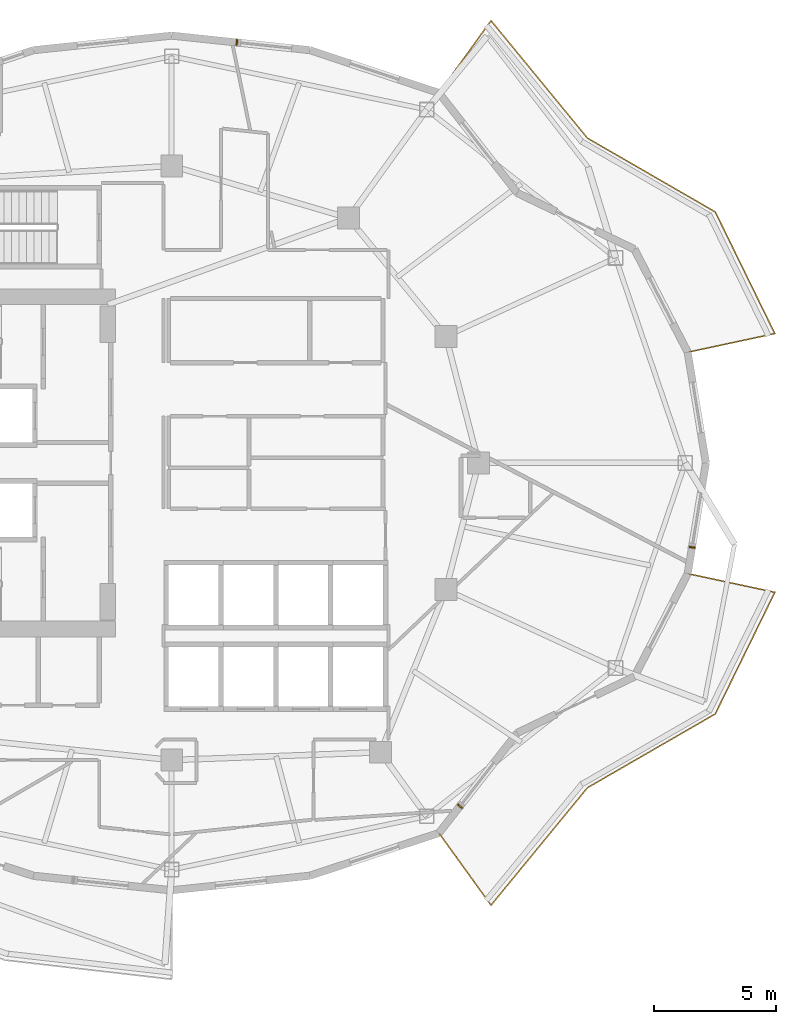
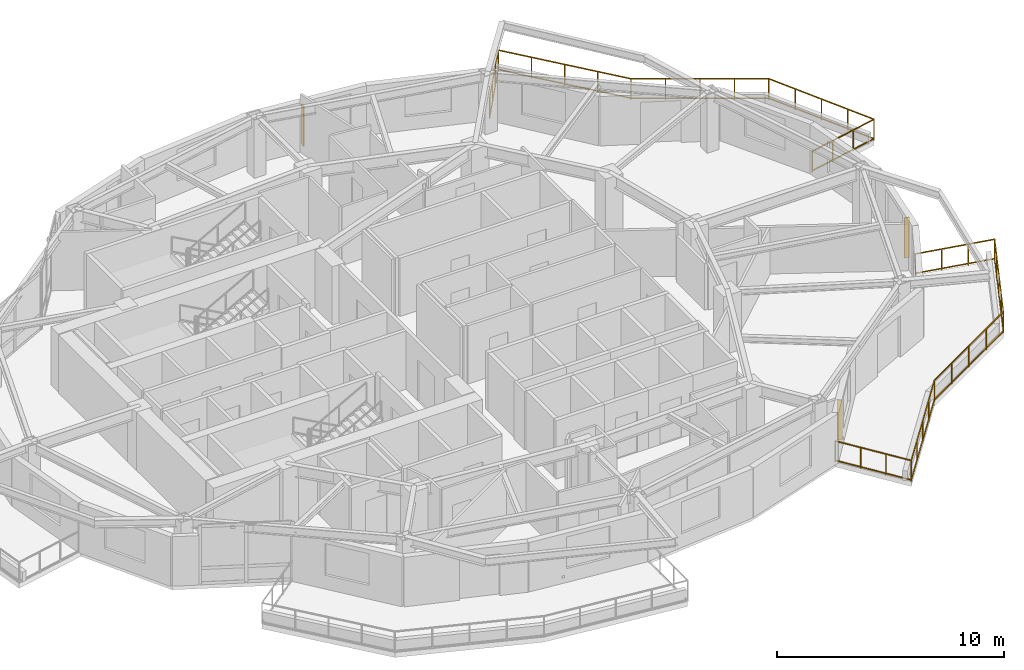
# One storey, part 13 of 13: 3 shading devices, 2 railings.
"""IFC4 building model written with IfcOpenShell, lengths in metres."""

from ifc_helpers import new_model, si_unit, direction, frame, origin, origin_2d, place, context, subcontext, project, spatial, rectangle, extrude, material, type_object, element, save


model = new_model("IFC4")

# Units and contexts
model_context = context("Model", 3, precision=1e-05, world=origin(), true_north=direction((0.0, 1.0)))
body_context = subcontext(model_context, "Body", "Model", "MODEL_VIEW")
ifc_project = project(units=[si_unit("LENGTHUNIT", "METRE"), si_unit("AREAUNIT", "SQUARE_METRE"), si_unit("VOLUMEUNIT", "CUBIC_METRE"), si_unit("PLANEANGLEUNIT", "RADIAN"), si_unit("MASSUNIT", "GRAM", prefix="KILO")], contexts=[model_context])

# Site, building, storey
site_placement = place(None, origin())
site = spatial("IfcSite", under=ifc_project, at=site_placement, CompositionType="ELEMENT")
building_placement = place(site_placement, origin())
building = spatial("IfcBuilding", under=site, at=building_placement, Name="Kolvaren Gate Tower and Convention Centre", CompositionType="ELEMENT")
storey_placement = place(building_placement, frame((0.0, 0.0, 156.300048828125)))
storey = spatial("IfcBuildingStorey", under=building, at=storey_placement, Name="L40", CompositionType="ELEMENT", Elevation=156.300048828125)

# Railings
ifc_material_1 = material(Name="Brushed Stainless Steel Grade 316L", Category="steel")
railing_type = type_object("IfcRailingType", Name="ARCH-RL-GUARD-1150", PredefinedType="GUARDRAIL", material=ifc_material_1)
railing_1_placement = place(storey_placement, frame((51.31494140625, 31.542236328125, 0.0)))
element("IfcRailing", 1, at=railing_1_placement, inside=storey, type_object=railing_type, Name="Tower L40 Terrace Perimeter Guardrail GR-1", PredefinedType="GUARDRAIL", context=body_context, shape_type="SweptSolid", body=[
    extrude(rectangle(XDim=0.048095703125, YDim=0.048095703125, at=origin_2d()), frame((0.02734375, 0.005859375, 1.1259765625), z_axis=(0.977791675321, 0.209579196661, 0.0), x_axis=(-0.209579196661, 0.977791675321, 0.0)), (0.0, 0.0, 1.0), 3.60400390625),
    extrude(rectangle(XDim=0.048095703125, YDim=0.048095703125, at=origin_2d()), frame((0.02734375, 0.005859375, 0.083984375), z_axis=(0.977791675321, 0.209579196661, 0.0), x_axis=(-0.209579196661, 0.977791675321, 0.0)), (0.0, 0.0, 1.0), 3.60400390625),
    extrude(rectangle(XDim=0.048095703125, YDim=0.048095703125, at=origin_2d()), frame((3.56640625, 0.792236328125, 1.1259765625), z_axis=(-0.439655234701, 0.898166618507, 0.0), x_axis=(-0.898166618507, -0.439655234701, 0.0)), (0.0, 0.0, 1.0), 5.51123046875),
    extrude(rectangle(XDim=0.048095703125, YDim=0.048095703125, at=origin_2d()), frame((3.56640625, 0.792236328125, 0.083984375), z_axis=(-0.439655234701, 0.898166618507, 0.0), x_axis=(-0.898166618507, -0.439655234701, 0.0)), (0.0, 0.0, 1.0), 5.51123046875),
    extrude(rectangle(XDim=0.048095703125, YDim=0.048095703125, at=origin_2d()), frame((1.10693359375, 5.781494140625, 1.1259765625), z_axis=(-0.866075571306, 0.499913097234, 0.0), x_axis=(-0.499913097234, -0.866075571306, 0.0)), (0.0, 0.0, 1.0), 6.004150390625),
    extrude(rectangle(XDim=0.048095703125, YDim=0.048095703125, at=origin_2d()), frame((1.10693359375, 5.781494140625, 0.083984375), z_axis=(-0.866075571306, 0.499913097234, 0.0), x_axis=(-0.499913097234, -0.866075571306, 0.0)), (0.0, 0.0, 1.0), 6.004150390625),
    extrude(rectangle(XDim=0.048095703125, YDim=0.048095703125, at=origin_2d()), frame((-4.13525390625, 8.81884765625, 1.1259765625), z_axis=(-0.634429234628, 0.77298094818, 0.0), x_axis=(-0.77298094818, -0.634429234628, 0.0)), (0.0, 0.0, 1.0), 6.188720703125),
    extrude(rectangle(XDim=0.048095703125, YDim=0.048095703125, at=origin_2d()), frame((-4.13525390625, 8.81884765625, 0.083984375), z_axis=(-0.634429234628, 0.77298094818, 0.0), x_axis=(-0.77298094818, -0.634429234628, 0.0)), (0.0, 0.0, 1.0), 6.188720703125),
    extrude(rectangle(XDim=0.048095703125, YDim=0.048095703125, at=origin_2d()), frame((-8.095703125, 13.6015625, 1.1259765625), z_axis=(-0.585212870465, -0.810879705161, 0.0), x_axis=(0.810879705161, -0.585212870465, 0.0)), (0.0, 0.0, 1.0), 3.603759765625),
    extrude(rectangle(XDim=0.048095703125, YDim=0.048095703125, at=origin_2d()), frame((-8.095703125, 13.6015625, 0.083984375), z_axis=(-0.585212870465, -0.810879705161, 0.0), x_axis=(0.810879705161, -0.585212870465, 0.0)), (0.0, 0.0, 1.0), 3.603759765625),
    extrude(rectangle(XDim=0.0419921875, YDim=0.0419921875, at=origin_2d()), origin(), (0.0, 0.0, 1.0), 1.14990234375),
    extrude(rectangle(XDim=0.0419921875, YDim=0.0419921875, at=origin_2d()), frame((3.578857421875, 0.76708984375, 0.0)), (0.0, 0.0, 1.0), 1.14990234375),
    extrude(rectangle(XDim=0.0419921875, YDim=0.0419921875, at=origin_2d()), frame((1.19287109375, 0.255615234375, 0.0)), (0.0, 0.0, 1.0), 1.099853515625),
    extrude(rectangle(XDim=0.0419921875, YDim=0.0419921875, at=origin_2d()), frame((2.385986328125, 0.511474609375, 0.0)), (0.0, 0.0, 1.0), 1.099853515625),
    extrude(rectangle(XDim=0.0419921875, YDim=0.0419921875, at=origin_2d()), frame((1.131103515625, 5.767578125, 0.0)), (0.0, 0.0, 1.0), 1.14990234375),
    extrude(rectangle(XDim=0.0419921875, YDim=0.0419921875, at=origin_2d()), frame((2.966796875, 2.01708984375, 0.0)), (0.0, 0.0, 1.0), 1.099853515625),
    extrude(rectangle(XDim=0.0419921875, YDim=0.0419921875, at=origin_2d()), frame((2.35498046875, 3.267333984375, 0.0)), (0.0, 0.0, 1.0), 1.099853515625),
    extrude(rectangle(XDim=0.0419921875, YDim=0.0419921875, at=origin_2d()), frame((1.7431640625, 4.517578125, 0.0)), (0.0, 0.0, 1.0), 1.099853515625),
    extrude(rectangle(XDim=0.0419921875, YDim=0.0419921875, at=origin_2d()), frame((-4.117431640625, 8.797119140625, 0.0)), (0.0, 0.0, 1.0), 1.14990234375),
    extrude(rectangle(XDim=0.0419921875, YDim=0.0419921875, at=origin_2d()), frame((-0.18115234375, 6.52490234375, 0.0)), (0.0, 0.0, 1.0), 1.099853515625),
    extrude(rectangle(XDim=0.0419921875, YDim=0.0419921875, at=origin_2d()), frame((-1.4931640625, 7.2822265625, 0.0)), (0.0, 0.0, 1.0), 1.099853515625),
    extrude(rectangle(XDim=0.0419921875, YDim=0.0419921875, at=origin_2d()), frame((-2.80517578125, 8.039794921875, 0.0)), (0.0, 0.0, 1.0), 1.099853515625),
    extrude(rectangle(XDim=0.0419921875, YDim=0.0419921875, at=origin_2d()), frame((-8.079345703125, 13.624267578125, 0.0)), (0.0, 0.0, 1.0), 1.14990234375),
    extrude(rectangle(XDim=0.0419921875, YDim=0.0419921875, at=origin_2d()), frame((-5.10791015625, 10.00390625, 0.0)), (0.0, 0.0, 1.0), 1.099853515625),
    extrude(rectangle(XDim=0.0419921875, YDim=0.0419921875, at=origin_2d()), frame((-6.098388671875, 11.210693359375, 0.0)), (0.0, 0.0, 1.0), 1.099853515625),
    extrude(rectangle(XDim=0.0419921875, YDim=0.0419921875, at=origin_2d()), frame((-7.0888671875, 12.41748046875, 0.0)), (0.0, 0.0, 1.0), 1.099853515625),
    extrude(rectangle(XDim=0.0419921875, YDim=0.0419921875, at=origin_2d()), frame((-10.22119140625, 10.656494140625, 0.0)), (0.0, 0.0, 1.0), 1.14990234375),
    extrude(rectangle(XDim=0.0419921875, YDim=0.0419921875, at=origin_2d()), frame((-8.793212890625, 12.635009765625, 0.0)), (0.0, 0.0, 1.0), 1.099853515625),
    extrude(rectangle(XDim=0.0419921875, YDim=0.0419921875, at=origin_2d()), frame((-9.50732421875, 11.645751953125, 0.0)), (0.0, 0.0, 1.0), 1.099853515625),
])
railing_2_placement = place(storey_placement, frame((41.09375, 11.80126953125, 0.0)))
element("IfcRailing", 2, at=railing_2_placement, inside=storey, type_object=railing_type, Name="Tower L40 Terrace Perimeter Guardrail GR-4", PredefinedType="GUARDRAIL", context=body_context, shape_type="SweptSolid", body=[
    extrude(rectangle(XDim=0.048095703125, YDim=0.048095703125, at=origin_2d()), frame((0.016357421875, -0.022705078125, 1.1259765625), z_axis=(0.585212870465, -0.810879705161, 0.0), x_axis=(0.810879705161, 0.585212870465, 0.0)), (0.0, 0.0, 1.0), 3.603759765625),
    extrude(rectangle(XDim=0.048095703125, YDim=0.048095703125, at=origin_2d()), frame((0.016357421875, -0.022705078125, 0.083984375), z_axis=(0.585212870465, -0.810879705161, 0.0), x_axis=(0.810879705161, 0.585212870465, 0.0)), (0.0, 0.0, 1.0), 3.603759765625),
    extrude(rectangle(XDim=0.048095703125, YDim=0.048095703125, at=origin_2d()), frame((2.15966796875, -2.946044921875, 1.1259765625), z_axis=(0.634429234628, 0.77298094818, 0.0), x_axis=(-0.77298094818, 0.634429234628, 0.0)), (0.0, 0.0, 1.0), 6.188720703125),
    extrude(rectangle(XDim=0.048095703125, YDim=0.048095703125, at=origin_2d()), frame((2.15966796875, -2.946044921875, 0.083984375), z_axis=(0.634429234628, 0.77298094818, 0.0), x_axis=(-0.77298094818, 0.634429234628, 0.0)), (0.0, 0.0, 1.0), 6.188720703125),
    extrude(rectangle(XDim=0.048095703125, YDim=0.048095703125, at=origin_2d()), frame((6.1279296875, 1.873291015625, 1.1259765625), z_axis=(0.866075571306, 0.499913097234, 0.0), x_axis=(-0.499913097234, 0.866075571306, 0.0)), (0.0, 0.0, 1.0), 6.004150390625),
    extrude(rectangle(XDim=0.048095703125, YDim=0.048095703125, at=origin_2d()), frame((6.1279296875, 1.873291015625, 0.083984375), z_axis=(0.866075571306, 0.499913097234, 0.0), x_axis=(-0.499913097234, 0.866075571306, 0.0)), (0.0, 0.0, 1.0), 6.004150390625),
    extrude(rectangle(XDim=0.048095703125, YDim=0.048095703125, at=origin_2d()), frame((11.36474609375, 4.9140625, 1.1259765625), z_axis=(0.439655234701, 0.898166618507, 0.0), x_axis=(-0.898166618507, 0.439655234701, 0.0)), (0.0, 0.0, 1.0), 5.51123046875),
    extrude(rectangle(XDim=0.048095703125, YDim=0.048095703125, at=origin_2d()), frame((11.36474609375, 4.9140625, 0.083984375), z_axis=(0.439655234701, 0.898166618507, 0.0), x_axis=(-0.898166618507, 0.439655234701, 0.0)), (0.0, 0.0, 1.0), 5.51123046875),
    extrude(rectangle(XDim=0.048095703125, YDim=0.048095703125, at=origin_2d()), frame((13.772705078125, 9.895263671875, 1.1259765625), z_axis=(-0.977791675321, 0.209579196661, 0.0), x_axis=(-0.209579196661, -0.977791675321, 0.0)), (0.0, 0.0, 1.0), 3.60400390625),
    extrude(rectangle(XDim=0.048095703125, YDim=0.048095703125, at=origin_2d()), frame((13.772705078125, 9.895263671875, 0.083984375), z_axis=(-0.977791675321, 0.209579196661, 0.0), x_axis=(-0.209579196661, -0.977791675321, 0.0)), (0.0, 0.0, 1.0), 3.60400390625),
    extrude(rectangle(XDim=0.0419921875, YDim=0.0419921875, at=origin_2d()), origin(), (0.0, 0.0, 1.0), 1.14990234375),
    extrude(rectangle(XDim=0.0419921875, YDim=0.0419921875, at=origin_2d()), frame((2.141845703125, -2.9677734375, 0.0)), (0.0, 0.0, 1.0), 1.14990234375),
    extrude(rectangle(XDim=0.0419921875, YDim=0.0419921875, at=origin_2d()), frame((0.7138671875, -0.9892578125, 0.0)), (0.0, 0.0, 1.0), 1.099853515625),
    extrude(rectangle(XDim=0.0419921875, YDim=0.0419921875, at=origin_2d()), frame((1.427978515625, -1.978515625, 0.0)), (0.0, 0.0, 1.0), 1.099853515625),
    extrude(rectangle(XDim=0.0419921875, YDim=0.0419921875, at=origin_2d()), frame((6.103759765625, 1.859375, 0.0)), (0.0, 0.0, 1.0), 1.14990234375),
    extrude(rectangle(XDim=0.0419921875, YDim=0.0419921875, at=origin_2d()), frame((3.13232421875, -1.760986328125, 0.0)), (0.0, 0.0, 1.0), 1.099853515625),
    extrude(rectangle(XDim=0.0419921875, YDim=0.0419921875, at=origin_2d()), frame((4.122802734375, -0.55419921875, 0.0)), (0.0, 0.0, 1.0), 1.099853515625),
    extrude(rectangle(XDim=0.0419921875, YDim=0.0419921875, at=origin_2d()), frame((5.11328125, 0.652587890625, 0.0)), (0.0, 0.0, 1.0), 1.099853515625),
    extrude(rectangle(XDim=0.0419921875, YDim=0.0419921875, at=origin_2d()), frame((11.352294921875, 4.888916015625, 0.0)), (0.0, 0.0, 1.0), 1.14990234375),
    extrude(rectangle(XDim=0.0419921875, YDim=0.0419921875, at=origin_2d()), frame((7.416015625, 2.61669921875, 0.0)), (0.0, 0.0, 1.0), 1.099853515625),
    extrude(rectangle(XDim=0.0419921875, YDim=0.0419921875, at=origin_2d()), frame((8.72802734375, 3.3740234375, 0.0)), (0.0, 0.0, 1.0), 1.099853515625),
    extrude(rectangle(XDim=0.0419921875, YDim=0.0419921875, at=origin_2d()), frame((10.0400390625, 4.131591796875, 0.0)), (0.0, 0.0, 1.0), 1.099853515625),
    extrude(rectangle(XDim=0.0419921875, YDim=0.0419921875, at=origin_2d()), frame((13.800048828125, 9.889404296875, 0.0)), (0.0, 0.0, 1.0), 1.14990234375),
    extrude(rectangle(XDim=0.0419921875, YDim=0.0419921875, at=origin_2d()), frame((11.96435546875, 6.13916015625, 0.0)), (0.0, 0.0, 1.0), 1.099853515625),
    extrude(rectangle(XDim=0.0419921875, YDim=0.0419921875, at=origin_2d()), frame((12.576171875, 7.38916015625, 0.0)), (0.0, 0.0, 1.0), 1.099853515625),
    extrude(rectangle(XDim=0.0419921875, YDim=0.0419921875, at=origin_2d()), frame((13.18798828125, 8.63916015625, 0.0)), (0.0, 0.0, 1.0), 1.099853515625),
    extrude(rectangle(XDim=0.0419921875, YDim=0.0419921875, at=origin_2d()), frame((10.22119140625, 10.656494140625, 0.0)), (0.0, 0.0, 1.0), 1.14990234375),
    extrude(rectangle(XDim=0.0419921875, YDim=0.0419921875, at=origin_2d()), frame((12.607177734375, 10.14501953125, 0.0)), (0.0, 0.0, 1.0), 1.099853515625),
    extrude(rectangle(XDim=0.0419921875, YDim=0.0419921875, at=origin_2d()), frame((11.4140625, 10.40087890625, 0.0)), (0.0, 0.0, 1.0), 1.099853515625),
])

# Shading devices
ifc_material_2 = material(Name="Kiln-Fired Bogota Terracotta Ceramic Louvre Profile", Category="masonry")
shading_device_type = type_object("IfcShadingDeviceType", Name="ARCH-SHD-FIN-180", PredefinedType="JALOUSIE", material=ifc_material_2)
for number, where, z_axis, x_axis, name in (
    (3, (32.80029296875, 44.268310546875, 0.219970703125), (0.0, 0.0, 1.0), (0.994499249941, -0.104743696069, 0.0), "Ceramic Vertical Brise-Soleil Fin FN-L40-05"),
    (4, (41.9580078125, 12.9052734375, 0.219970703125), (0.0, 0.0, 1.0), (0.616434119112, 0.787406487651, 0.0), "Ceramic Vertical Brise-Soleil Fin FN-L40-20"),
    (5, (51.4921875, 23.53515625, 0.219970703125), (0.0, 0.0, 1.0), (0.162380568014, 0.986728205298, 0.0), "Ceramic Vertical Brise-Soleil Fin FN-L40-23"),
):
    element("IfcShadingDevice", number, at=place(storey_placement, frame(where, z_axis=z_axis, x_axis=x_axis)), inside=storey, type_object=shading_device_type, Name=name, PredefinedType="JALOUSIE", context=body_context, shape_type="SweptSolid", body=[
        extrude(rectangle(XDim=0.06005859375, YDim=0.239990234375, at=origin_2d()), origin(), (0.0, 0.0, 1.0), 2.14990234375),
    ])

save(model, "model.ifc")
